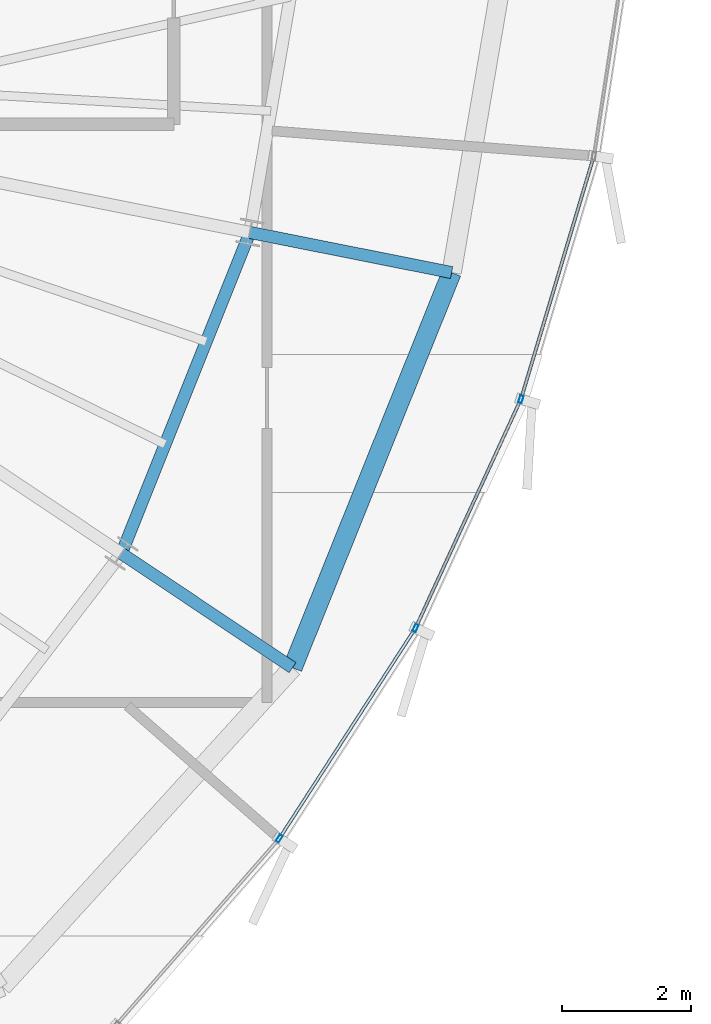
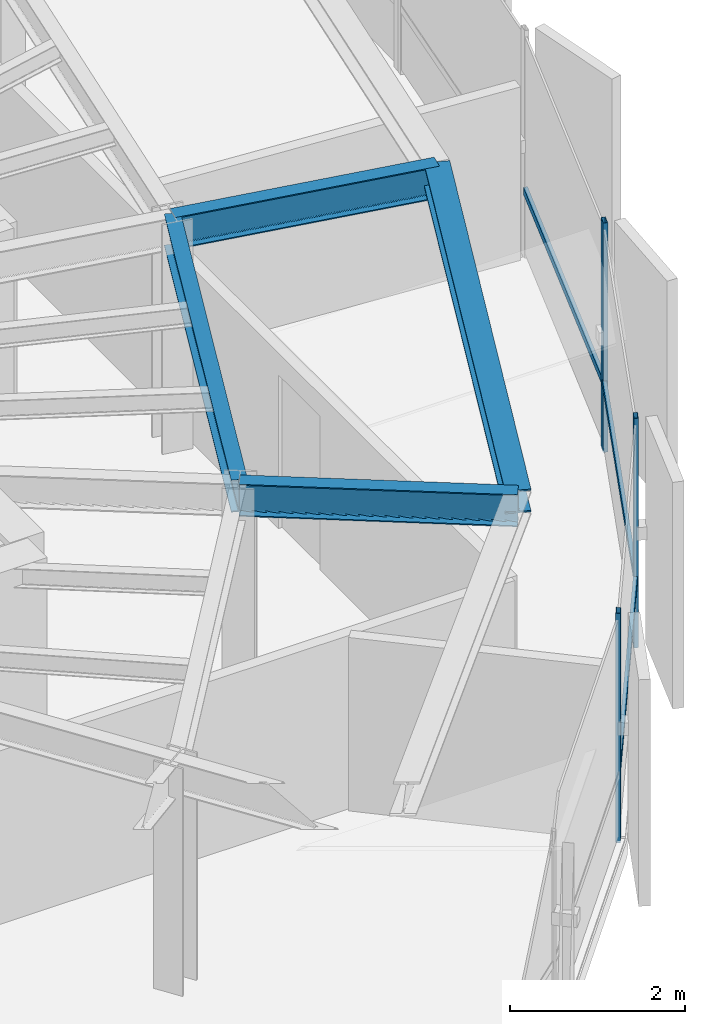
# One storey, part 15 of 32: 6 members, 4 beams, 1 element without a shape of its own.
"""IFC4 building model written with IfcOpenShell, lengths in metres."""

from ifc_helpers import new_model, si_unit, direction, frame, origin, origin_2d, place, context, subcontext, project, spatial, hollow_rectangle, i_section, extrude, source, transform, mapped, material, layer, layer_set, material_profile, profile_set, type_object, element, aggregate, save


model = new_model("IFC4")

# Units and contexts
model_context = context("Model", 3, precision=1e-05, world=origin(), true_north=direction((0.0, 1.0)))
body_context = subcontext(model_context, "Body", "Model", "MODEL_VIEW")
ifc_project = project(units=[si_unit("LENGTHUNIT", "METRE"), si_unit("AREAUNIT", "SQUARE_METRE"), si_unit("VOLUMEUNIT", "CUBIC_METRE"), si_unit("PLANEANGLEUNIT", "RADIAN"), si_unit("MASSUNIT", "GRAM", prefix="KILO"), si_unit("THERMODYNAMICTEMPERATUREUNIT", "KELVIN")], contexts=[model_context])

# Site, building, storey
site_placement = place(None, origin())
site = spatial("IfcSite", under=ifc_project, at=site_placement, CompositionType="ELEMENT")
building_placement = place(site_placement, origin())
building = spatial("IfcBuilding", under=site, at=building_placement, Name="Kethvar Cultural Tower", CompositionType="ELEMENT")
storey_placement = place(building_placement, frame((0.0, 0.0, 280.14990234375)))
storey = spatial("IfcBuildingStorey", under=building, at=storey_placement, Name="L74", CompositionType="ELEMENT", Elevation=280.14990234375)

# Beams
ifc_material_1 = material(Name="Steel S355J2", Category="steel")
ifc_material_profile_1 = material_profile(ifc_material_1, i_section(OverallWidth=0.18994140625, OverallDepth=0.449951171875, WebThickness=0.009521484375, FlangeThickness=0.0146484375, FilletRadius=0.02099609375, at=origin_2d()), Name="Steel S355J2 — IPE450")
ifc_profile_set_1 = profile_set([ifc_material_profile_1], Name="Steel S355J2 — IPE450")
beam_type_1 = type_object("IfcBeamType", Name="BM-IPE450", PredefinedType="BEAM", material=ifc_profile_set_1)
shared_shape_1 = source(origin(), body_context, "Body", "SweptSolid", [
    extrude(i_section(OverallWidth=0.18994140625, OverallDepth=0.449951171875, WebThickness=0.009521484375, FlangeThickness=0.0146484375, FilletRadius=0.02099609375, at=origin_2d()), origin(), (0.0, 0.0, 1.0), 3.199951171875),
])
for number, where, z_axis, x_axis, name in (
    (1, (58.287109375, 20.12451171875, 2.983154296875), (0.831462943996, -0.555580212716, 0.0), (0.555580212716, 0.831462943996, 0.0), "L74 Perimeter Cantilever Beam RC-15"),
    (2, (60.28369140625, 25.117919921875, 2.983154296875), (0.980785550224, -0.195088965533, 0.0), (0.195088965533, 0.980785550224, 0.0), "L74 Perimeter Cantilever Beam RC-16"),
):
    element("IfcBeam", number, at=place(storey_placement, frame(where, z_axis=z_axis, x_axis=x_axis)), inside=storey, type_object=beam_type_1, Name=name, PredefinedType="BEAM", context=body_context, shape_type="MappedRepresentation", body=[
        mapped(shared_shape_1, transform((0.0, 0.0, 0.0), scale=1.0)),
    ])
shared_shape_2 = source(origin(), body_context, "Body", "SweptSolid", [
    extrude(i_section(OverallWidth=0.18994140625, OverallDepth=0.449951171875, WebThickness=0.009521484375, FlangeThickness=0.0146484375, FilletRadius=0.02099609375, at=origin_2d()), origin(), (0.0, 0.0, 1.0), 5.377685546875),
])
beam_1_placement = place(storey_placement, frame((58.287109375, 20.12451171875, 2.983154296875), z_axis=(0.371265436914, 0.928526776864, 0.0), x_axis=(-0.928526776864, 0.371265436914, 0.0)))
element("IfcBeam", 3, at=beam_1_placement, inside=storey, type_object=beam_type_1, Name="L74 Column Ring Tie Beam CR-15", PredefinedType="BEAM", context=body_context, shape_type="MappedRepresentation", body=[
    mapped(shared_shape_2, transform((0.0, 0.0, 0.0), scale=1.0)),
])
ifc_material_profile_2 = material_profile(ifc_material_1, i_section(OverallWidth=0.300048828125, OverallDepth=0.320068359375, WebThickness=0.011474609375, FlangeThickness=0.0205078125, FilletRadius=0.027099609375, at=origin_2d()), Name="Steel S355J2 — HEB320")
ifc_profile_set_2 = profile_set([ifc_material_profile_2], Name="Steel S355J2 — HEB320")
beam_type_2 = type_object("IfcBeamType", Name="BM-SP320", PredefinedType="SPANDREL", material=ifc_profile_set_2)
shared_shape_3 = source(origin(), body_context, "Body", "SweptSolid", [
    extrude(i_section(OverallWidth=0.300048828125, OverallDepth=0.320068359375, WebThickness=0.011474609375, FlangeThickness=0.0205078125, FilletRadius=0.027099609375, at=origin_2d()), origin(), (0.0, 0.0, 1.0), 6.626220703125),
])
beam_2_placement = place(storey_placement, frame((60.94775390625, 18.3466796875, 3.048095703125), z_axis=(0.373416224197, 0.927663906545, 0.0), x_axis=(-0.927663906545, 0.373416224197, 0.0)))
element("IfcBeam", 4, at=beam_2_placement, inside=storey, type_object=beam_type_2, Name="L74 Perimeter Spandrel Beam SP-15", PredefinedType="SPANDREL", context=body_context, shape_type="MappedRepresentation", body=[
    mapped(shared_shape_3, transform((0.0, 0.0, 0.0), scale=1.0)),
])

# Curtain wall, members
ifc_material_2 = material(Name="Aluminium 6063-T6", Category="aluminium")
ifc_layer = layer(ifc_material_2, 0.179931640625, Name="Aluminium 6063-T6", Category="aluminium")
ifc_layer_set = layer_set([ifc_layer], Name="Aluminium 6063-T6 (180 mm)")
curtain_wall_type = type_object("IfcCurtainWallType", Name="CW-SYS-05-Z56", PredefinedType="NOTDEFINED", material=ifc_layer_set)
curtain_wall_placement = place(storey_placement, origin())
curtain_wall = element("IfcCurtainWall", 5, at=curtain_wall_placement, inside=storey, type_object=curtain_wall_type, Name="L74 Curtain Wall Run 05", PredefinedType="NOTDEFINED")
ifc_material_profile_3 = material_profile(ifc_material_2, hollow_rectangle(XDim=0.054931640625, YDim=0.1201171875, WallThickness=0.00390625, at=origin_2d()), Name="Aluminium 6063-T6 — RHS120x55x4")
ifc_profile_set_3 = profile_set([ifc_material_profile_3], Name="Aluminium 6063-T6 — RHS120x55x4")
member_type_1 = type_object("IfcMemberType", Name="CW-SYS-05-Z56-MUL", PredefinedType="MULLION", material=ifc_profile_set_3)
shared_shape_4 = source(origin(), body_context, "Body", "SweptSolid", [
    extrude(hollow_rectangle(XDim=0.054931640625, YDim=0.1201171875, WallThickness=0.00390625, at=origin_2d()), origin(), (0.0, 0.0, 1.0), 3.210205078125),
])
member_1_placement = place(storey_placement, frame((60.74072265625, 15.68896484375, 0.0), z_axis=(0.0, 0.0, 1.0), x_axis=(-0.839600903658, 0.543203757882, 0.0)))
member_1 = element("IfcMember", 6, at=member_1_placement, type_object=member_type_1, Name="CW-L74-R05 Mullion 3", PredefinedType="MULLION", context=body_context, shape_type="MappedRepresentation", body=[
    mapped(shared_shape_4, transform((0.0, 0.0, 0.0), scale=1.0)),
])
member_2_placement = place(storey_placement, frame((62.860107421875, 18.962890625, 0.0), z_axis=(0.0, 0.0, 1.0), x_axis=(-0.908369557607, 0.41816832354, 0.0)))
member_2 = element("IfcMember", 7, at=member_2_placement, type_object=member_type_1, Name="CW-L74-R05 Mullion 4", PredefinedType="MULLION", context=body_context, shape_type="MappedRepresentation", body=[
    mapped(shared_shape_4, transform((0.0, 0.0, 0.0), scale=1.0)),
])
member_3_placement = place(storey_placement, frame((64.500244140625, 22.523193359375, 0.0), z_axis=(0.0, 0.0, 1.0), x_axis=(-0.957882658484, 0.287159907674, 0.0)))
member_3 = element("IfcMember", 8, at=member_3_placement, type_object=member_type_1, Name="CW-L74-R05 Mullion 5", PredefinedType="MULLION", context=body_context, shape_type="MappedRepresentation", body=[
    mapped(shared_shape_4, transform((0.0, 0.0, 0.0), scale=1.0)),
])
ifc_material_profile_4 = material_profile(ifc_material_2, hollow_rectangle(XDim=0.050048828125, YDim=0.10009765625, WallThickness=0.00390625, at=origin_2d()), Name="Aluminium 6063-T6 — RHS100x50x4")
ifc_profile_set_4 = profile_set([ifc_material_profile_4], Name="Aluminium 6063-T6 — RHS100x50x4")
member_type_2 = type_object("IfcMemberType", Name="CW-SYS-05-Z56-TRN", PredefinedType="USERDEFINED", material=ifc_profile_set_4)
shared_shape_5 = source(origin(), body_context, "Body", "SweptSolid", [
    extrude(hollow_rectangle(XDim=0.050048828125, YDim=0.10009765625, WallThickness=0.00390625, at=origin_2d()), origin(), (0.0, 0.0, 1.0), 3.8837890625),
])
member_4_placement = place(storey_placement, frame((64.51171875, 22.561279296875, 0.9501953125), z_axis=(0.287094117647, 0.957902378958, 0.0), x_axis=(-0.957902378958, 0.287094117647, 0.0)))
member_4 = element("IfcMember", 9, at=member_4_placement, type_object=member_type_2, Name="CW-L74-R05 Transom 5", ObjectType="TRANSOM", PredefinedType="USERDEFINED", context=body_context, shape_type="MappedRepresentation", body=[
    mapped(shared_shape_5, transform((0.0, 0.0, 0.0), scale=1.0)),
])
shared_shape_6 = source(origin(), body_context, "Body", "SweptSolid", [
    extrude(hollow_rectangle(XDim=0.050048828125, YDim=0.10009765625, WallThickness=0.00390625, at=origin_2d()), origin(), (0.0, 0.0, 1.0), 3.8349609375),
])
member_5_placement = place(storey_placement, frame((60.76220703125, 15.722412109375, 0.9501953125), z_axis=(0.54323280035, 0.839582113092, 0.0), x_axis=(-0.839582113092, 0.54323280035, 0.0)))
member_5 = element("IfcMember", 10, at=member_5_placement, type_object=member_type_2, Name="CW-L74-R05 Transom 3", ObjectType="TRANSOM", PredefinedType="USERDEFINED", context=body_context, shape_type="MappedRepresentation", body=[
    mapped(shared_shape_6, transform((0.0, 0.0, 0.0), scale=1.0)),
])
shared_shape_7 = source(origin(), body_context, "Body", "SweptSolid", [
    extrude(hollow_rectangle(XDim=0.050048828125, YDim=0.10009765625, WallThickness=0.00390625, at=origin_2d()), origin(), (0.0, 0.0, 1.0), 3.854736328125),
])
member_6_placement = place(storey_placement, frame((62.876708984375, 18.998779296875, 0.9501953125), z_axis=(0.418126185513, 0.908388954682, 0.0), x_axis=(-0.908388954682, 0.418126185513, 0.0)))
member_6 = element("IfcMember", 11, at=member_6_placement, type_object=member_type_2, Name="CW-L74-R05 Transom 4", ObjectType="TRANSOM", PredefinedType="USERDEFINED", context=body_context, shape_type="MappedRepresentation", body=[
    mapped(shared_shape_7, transform((0.0, 0.0, 0.0), scale=1.0)),
])
aggregate(curtain_wall, [member_1, member_2, member_3, member_5, member_6, member_4])

save(model, "model.ifc")
